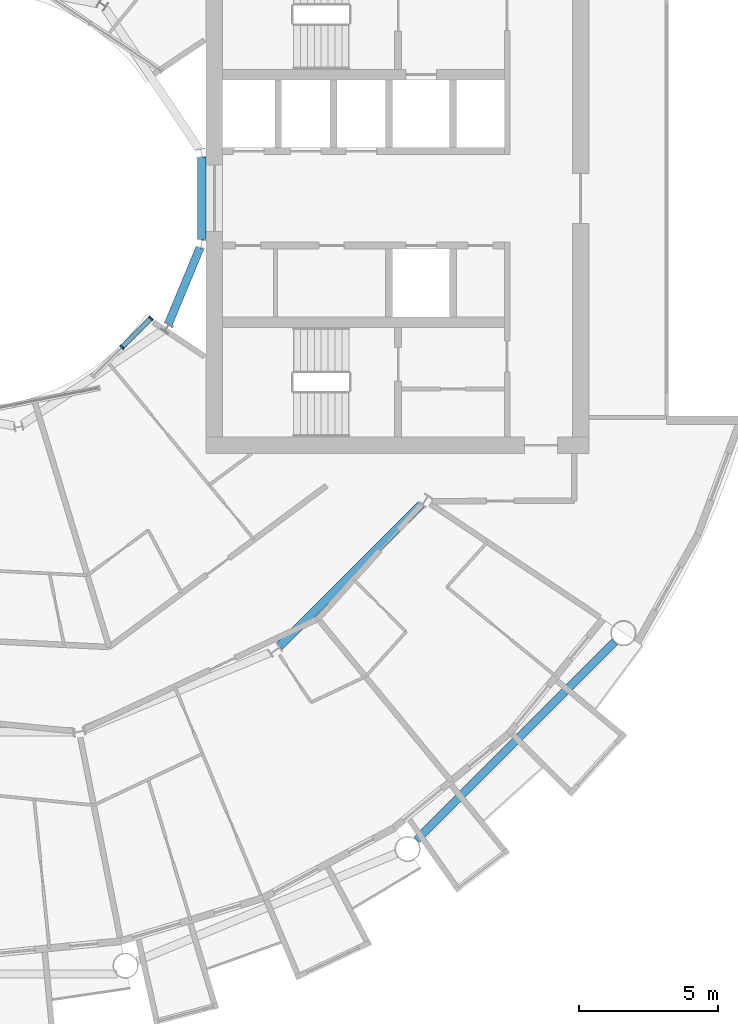
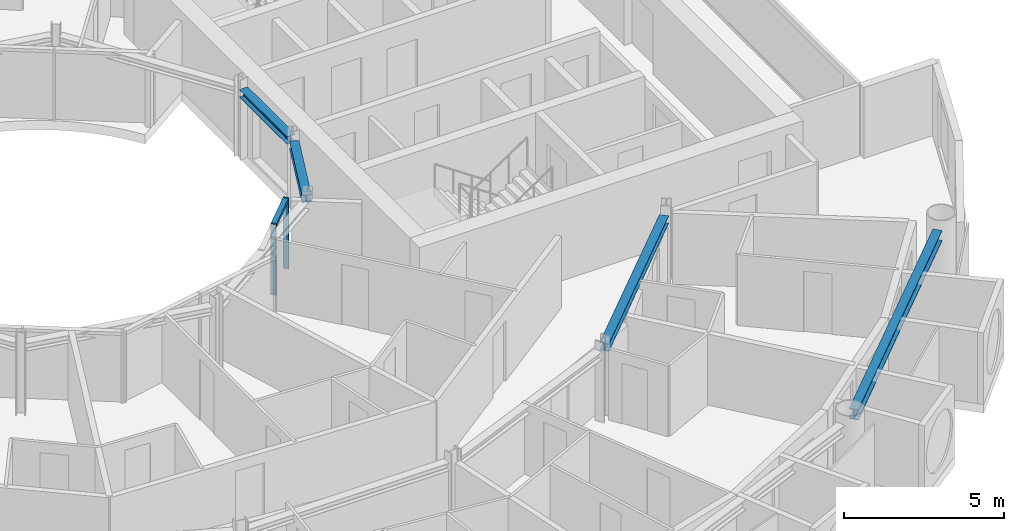
# One storey, part 7 of 27: 4 beams, 3 members, 1 element without a shape of its own.
"""IFC4 building model written with IfcOpenShell, lengths in metres."""

from ifc_helpers import new_model, si_unit, direction, frame, origin, origin_2d, place, context, subcontext, project, spatial, rectangle, i_section, extrude, material, layer, layer_set, material_profile, profile_set, type_object, element, aggregate, save


model = new_model("IFC4")

# Units and contexts
model_context = context("Model", 3, precision=1e-05, world=origin(), true_north=direction((0.0, 1.0)))
body_context = subcontext(model_context, "Body", "Model", "MODEL_VIEW")
ifc_project = project(units=[si_unit("LENGTHUNIT", "METRE"), si_unit("AREAUNIT", "SQUARE_METRE"), si_unit("VOLUMEUNIT", "CUBIC_METRE"), si_unit("PLANEANGLEUNIT", "RADIAN"), si_unit("MASSUNIT", "GRAM", prefix="KILO")], contexts=[model_context])

# Site, building, storey
site_placement = place(None, origin())
site = spatial("IfcSite", under=ifc_project, at=site_placement, CompositionType="ELEMENT")
building_placement = place(site_placement, origin())
building = spatial("IfcBuilding", under=site, at=building_placement, Name="Maasbend Ring Residences", CompositionType="ELEMENT")
storey_placement = place(building_placement, frame((0.0, 0.0, 111.64990234375)))
storey = spatial("IfcBuildingStorey", under=building, at=storey_placement, Name="L31", CompositionType="ELEMENT", Elevation=111.64990234375)

# Curtain wall, members
ifc_material_1 = material(Name="Aluminium and clear glass", Category="aluminium")
ifc_layer = layer(ifc_material_1, 0.179931640625)
ifc_layer_set = layer_set([ifc_layer], Name="CW-W")
curtain_wall_type = type_object("IfcCurtainWallType", Name="CW-W", PredefinedType="NOTDEFINED", material=ifc_layer_set)
curtain_wall_placement = place(storey_placement, origin())
curtain_wall = element("IfcCurtainWall", 1, at=curtain_wall_placement, inside=storey, type_object=curtain_wall_type, Name="Well curtain wall S3", PredefinedType="NOTDEFINED")
ifc_material_2 = material(Name="Aluminium 6063-T6", Category="aluminium")
ifc_material_profile_1 = material_profile(ifc_material_2, rectangle(XDim=0.179931640625, YDim=0.06005859375, at=origin_2d()), Name="AL 180x60")
ifc_profile_set_1 = profile_set([ifc_material_profile_1], Name="Aluminium 6063-T6")
member_type_1 = type_object("IfcMemberType", Name="CWM-W", PredefinedType="MULLION", material=ifc_profile_set_1)
member_1_placement = place(storey_placement, frame((5.366943359375, -5.366943359375, 0.0), z_axis=(0.0, 0.0, 1.0), x_axis=(-0.707106781187, 0.707106781187, 0.0)))
member_1 = element("IfcMember", 2, at=member_1_placement, type_object=member_type_1, Name="Mullion well face", PredefinedType="MULLION", context=body_context, shape_type="SweptSolid", body=[
    extrude(rectangle(XDim=0.179931640625, YDim=0.06005859375, at=origin_2d()), origin(), (0.0, 0.0, 1.0), 2.7001953125),
])
member_2_placement = place(storey_placement, frame((6.413330078125, -4.320556640625, 0.0), z_axis=(0.0, 0.0, 1.0), x_axis=(-0.707106781187, 0.707106781187, 0.0)))
member_2 = element("IfcMember", 3, at=member_2_placement, type_object=member_type_1, Name="Mullion well face", PredefinedType="MULLION", context=body_context, shape_type="SweptSolid", body=[
    extrude(rectangle(XDim=0.179931640625, YDim=0.06005859375, at=origin_2d()), origin(), (0.0, 0.0, 1.0), 2.7001953125),
])
ifc_material_3 = material(Name="Aluminium 6063-T6", Category="aluminium")
ifc_material_profile_2 = material_profile(ifc_material_3, rectangle(XDim=0.179931640625, YDim=0.1201171875, at=origin_2d()), Name="AL 180x120")
ifc_profile_set_2 = profile_set([ifc_material_profile_2], Name="Aluminium 6063-T6")
member_type_2 = type_object("IfcMemberType", Name="CWT-W", PredefinedType="USERDEFINED", material=ifc_profile_set_2)
member_3_placement = place(storey_placement, frame((5.38818359375, -5.345703125, 2.64013671875), z_axis=(0.707106781187, 0.707106781187, 0.0), x_axis=(-0.707106781187, 0.707106781187, 0.0)))
member_3 = element("IfcMember", 4, at=member_3_placement, type_object=member_type_2, Name="Transom well face", ObjectType="TRANSOM", PredefinedType="USERDEFINED", context=body_context, shape_type="SweptSolid", body=[
    extrude(rectangle(XDim=0.179931640625, YDim=0.1201171875, at=origin_2d()), origin(), (0.0, 0.0, 1.0), 1.419677734375),
])
aggregate(curtain_wall, [member_1, member_2, member_3])

# Beams
ifc_material_4 = material(Name="Steel S355J2", Category="steel")
ifc_material_profile_3 = material_profile(ifc_material_4, i_section(OverallWidth=0.300048828125, OverallDepth=0.2900390625, WebThickness=0.008544921875, FlangeThickness=0.013916015625, FilletRadius=0.027099609375, at=origin_2d()), Name="HEA 300")
ifc_profile_set_3 = profile_set([ifc_material_profile_3], Name="Steel S355J2")
beam_type_1 = type_object("IfcBeamType", Name="Corridor ring beam HEA 300", PredefinedType="BEAM", material=ifc_profile_set_3)
beam_1_placement = place(storey_placement, frame((11.044921875, -16.14111328125, 2.55517578125), z_axis=(0.707106781187, 0.707106781187, 0.0), x_axis=(-0.707106781187, 0.707106781187, 0.0)))
element("IfcBeam", 5, at=beam_1_placement, inside=storey, type_object=beam_type_1, Name="Corridor ring beam", PredefinedType="BEAM", context=body_context, shape_type="SweptSolid", body=[
    extrude(i_section(OverallWidth=0.300048828125, OverallDepth=0.2900390625, WebThickness=0.008544921875, FlangeThickness=0.013916015625, FilletRadius=0.027099609375, at=origin_2d()), origin(), (0.0, 0.0, 1.0), 7.20703125),
])
ifc_material_5 = material(Name="Steel S355J2", Category="steel")
ifc_material_profile_4 = material_profile(ifc_material_5, i_section(OverallWidth=0.300048828125, OverallDepth=0.39990234375, WebThickness=0.013427734375, FlangeThickness=0.02392578125, FilletRadius=0.027099609375, at=origin_2d()), Name="HEB 400")
ifc_profile_set_4 = profile_set([ifc_material_profile_4], Name="Steel S355J2")
beam_type_2 = type_object("IfcBeamType", Name="Spandrel ring beam HEB 400", PredefinedType="SPANDREL", material=ifc_profile_set_4)
beam_2_placement = place(storey_placement, frame((15.990234375, -23.124267578125, 2.5), z_axis=(0.707106781187, 0.707106781187, 0.0), x_axis=(-0.707106781187, 0.707106781187, 0.0)))
element("IfcBeam", 6, at=beam_2_placement, inside=storey, type_object=beam_type_2, Name="Spandrel ring beam", PredefinedType="SPANDREL", context=body_context, shape_type="SweptSolid", body=[
    extrude(i_section(OverallWidth=0.300048828125, OverallDepth=0.39990234375, WebThickness=0.013427734375, FlangeThickness=0.02392578125, FilletRadius=0.027099609375, at=origin_2d()), origin(), (0.0, 0.0, 1.0), 10.089111328125),
])
ifc_material_6 = material(Name="Steel S355J2", Category="steel")
ifc_material_profile_5 = material_profile(ifc_material_6, i_section(OverallWidth=0.300048828125, OverallDepth=0.2900390625, WebThickness=0.008544921875, FlangeThickness=0.013916015625, FilletRadius=0.027099609375, at=origin_2d()), Name="HEA 300")
ifc_profile_set_5 = profile_set([ifc_material_profile_5], Name="Steel S355J2")
beam_type_3 = type_object("IfcBeamType", Name="Well edge beam HEA 300", PredefinedType="BEAM", material=ifc_profile_set_5)
for number, where, z_axis, x_axis, name in (
    (7, (7.042724609375, -4.525390625, 2.55517578125), (0.382765370874, 0.923845588212, 0.0), (-0.923845588212, 0.382765370874, 0.0), "Well edge beam"),
    (8, (8.238525390625, -1.48583984375, 2.55517578125), (0.0, 1.0, 0.0), (-1.0, 0.0, 0.0), "Well edge beam"),
):
    element("IfcBeam", number, at=place(storey_placement, frame(where, z_axis=z_axis, x_axis=x_axis)), inside=storey, type_object=beam_type_3, Name=name, PredefinedType="BEAM", context=body_context, shape_type="SweptSolid", body=[
        extrude(i_section(OverallWidth=0.300048828125, OverallDepth=0.2900390625, WebThickness=0.008544921875, FlangeThickness=0.013916015625, FilletRadius=0.027099609375, at=origin_2d()), origin(), (0.0, 0.0, 1.0), 2.9716796875),
    ])

save(model, "model.ifc")
